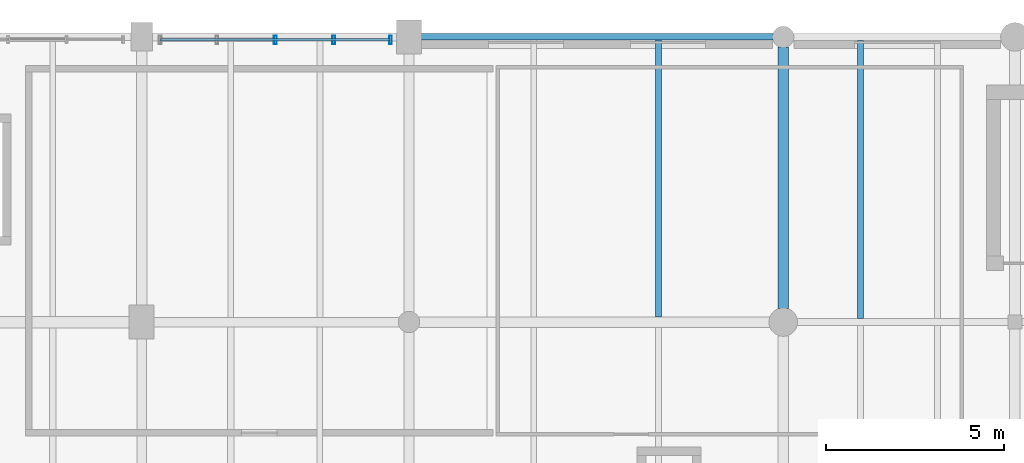
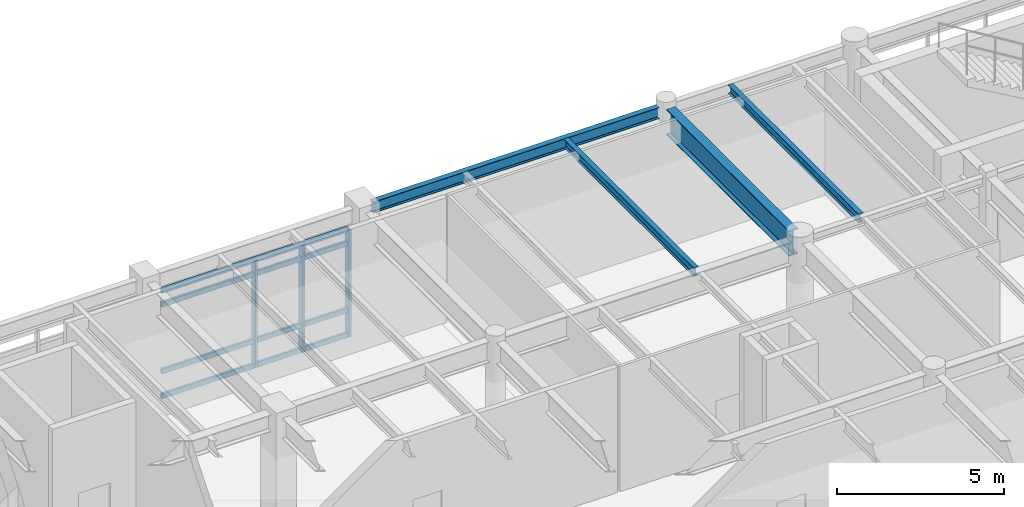
# One storey, part 70 of 200: 7 members, 4 beams, 1 element without a shape of its own.
"""IFC4 building model written with IfcOpenShell, lengths in metres."""

from ifc_helpers import new_model, si_unit, direction, frame, origin, origin_2d, place, context, subcontext, project, spatial, hollow_rectangle, i_section, extrude, material, material_profile, profile_set, type_object, element, aggregate, save


model = new_model("IFC4")

# Units and contexts
model_context = context("Model", 3, precision=1e-05, world=origin(), true_north=direction((0.0, 1.0)))
body_context = subcontext(model_context, "Body", "Model", "MODEL_VIEW")
ifc_project = project(units=[si_unit("LENGTHUNIT", "METRE"), si_unit("AREAUNIT", "SQUARE_METRE"), si_unit("VOLUMEUNIT", "CUBIC_METRE"), si_unit("PLANEANGLEUNIT", "RADIAN"), si_unit("MASSUNIT", "GRAM", prefix="KILO"), si_unit("THERMODYNAMICTEMPERATUREUNIT", "KELVIN"), si_unit("POWERUNIT", "WATT")], contexts=[model_context])

# Site, building, storey
site_placement = place(None, origin())
site = spatial("IfcSite", under=ifc_project, at=site_placement, CompositionType="ELEMENT")
building_placement = place(site_placement, origin())
building = spatial("IfcBuilding", under=site, at=building_placement, Name="Tepalcoro Natatorium and Aquatics Centre", CompositionType="ELEMENT")
storey_placement = place(building_placement, frame((0.0, 0.0, 5.39990234375)))
storey = spatial("IfcBuildingStorey", under=building, at=storey_placement, Name="L01", CompositionType="ELEMENT", Elevation=5.39990234375)

# Beam
ifc_material_1 = material(Name="Steel ASTM A992 Grade 50 (Fy 345 MPa)", Category="steel")
ifc_material_profile_1 = material_profile(ifc_material_1, i_section(OverallWidth=0.304931640625, OverallDepth=0.9189453125, WebThickness=0.01708984375, FlangeThickness=0.028076171875, FilletRadius=0.013916015625, at=origin_2d()), Name="W36X170")
ifc_profile_set_1 = profile_set([ifc_material_profile_1], Name="Steel ASTM A992 Grade 50 (Fy 345 MPa)")
beam_type_1 = type_object("IfcBeamType", Name="BM_W36x170", PredefinedType="BEAM", material=ifc_profile_set_1)
beam_1_placement = place(storey_placement, frame((46.5, 110.385009765625, 4.105712890625), z_axis=(0.0, 1.0, 0.0), x_axis=(-1.0, 0.0, 0.0)))
element("IfcBeam", 1, at=beam_1_placement, inside=storey, type_object=beam_type_1, Name="V4 L01 Grid Girder Y", PredefinedType="BEAM", context=body_context, shape_type="SweptSolid", body=[
    extrude(i_section(OverallWidth=0.304931640625, OverallDepth=0.9189453125, WebThickness=0.01708984375, FlangeThickness=0.028076171875, FilletRadius=0.013916015625, at=origin_2d()), origin(), (0.0, 0.0, 1.0), 7.330078125),
])

# Curtain wall, members
ifc_material_2 = material(Name="Bronze-Anodised Extruded Aluminium Alloy EN AW-6063 T6", Category="aluminium")
curtain_wall_type = type_object("IfcCurtainWallType", Name="CW_LEAN_T2_NS", PredefinedType="USERDEFINED", material=ifc_material_2)
curtain_wall_placement = place(storey_placement, origin())
curtain_wall = element("IfcCurtainWall", 2, at=curtain_wall_placement, inside=storey, type_object=curtain_wall_type, Name="V4 L01 N Unitised Curtain Wall Bay 3", ObjectType="FACETED SOLAR GLAZING", PredefinedType="USERDEFINED")
ifc_material_profile_2 = material_profile(ifc_material_2, hollow_rectangle(XDim=0.080078125, YDim=0.239990234375, WallThickness=0.0048828125, at=origin_2d()), Name="AL80X240X5")
ifc_profile_set_2 = profile_set([ifc_material_profile_2], Name="Bronze-Anodised Extruded Aluminium Alloy EN AW-6063 T6")
member_type_1 = type_object("IfcMemberType", Name="CW_MUL_80x240", PredefinedType="MULLION", material=ifc_profile_set_2)
member_1_placement = place(storey_placement, frame((32.25, 117.919921875, 0.02001953125), z_axis=(0.0, 0.0, 1.0), x_axis=(1.0, 0.0, 0.0)))
member_1 = element("IfcMember", 3, at=member_1_placement, type_object=member_type_1, Name="CW_LEAN_T2_NS Curtain Wall Mullion", PredefinedType="MULLION", context=body_context, shape_type="SweptSolid", body=[
    extrude(hollow_rectangle(XDim=0.080078125, YDim=0.239990234375, WallThickness=0.0048828125, at=origin_2d()), origin(), (0.0, 0.0, 1.0), 3.898193359375),
])
member_2_placement = place(storey_placement, frame((33.885009765625, 117.919921875, 0.02001953125), z_axis=(0.0, 0.0, 1.0), x_axis=(1.0, 0.0, 0.0)))
member_2 = element("IfcMember", 4, at=member_2_placement, type_object=member_type_1, Name="CW_LEAN_T2_NS Curtain Wall Mullion", PredefinedType="MULLION", context=body_context, shape_type="SweptSolid", body=[
    extrude(hollow_rectangle(XDim=0.080078125, YDim=0.239990234375, WallThickness=0.0048828125, at=origin_2d()), origin(), (0.0, 0.0, 1.0), 3.898193359375),
])
member_3_placement = place(storey_placement, frame((35.47998046875, 117.919921875, 0.02001953125), z_axis=(0.0, 0.0, 1.0), x_axis=(1.0, 0.0, 0.0)))
member_3 = element("IfcMember", 5, at=member_3_placement, type_object=member_type_1, Name="CW_LEAN_T2_NS Curtain Wall Mullion", PredefinedType="MULLION", context=body_context, shape_type="SweptSolid", body=[
    extrude(hollow_rectangle(XDim=0.080078125, YDim=0.239990234375, WallThickness=0.0048828125, at=origin_2d()), origin(), (0.0, 0.0, 1.0), 3.898193359375),
])
ifc_material_profile_3 = material_profile(ifc_material_2, hollow_rectangle(XDim=0.080078125, YDim=0.179931640625, WallThickness=0.0048828125, at=origin_2d()), Name="AL80X180X5")
ifc_profile_set_3 = profile_set([ifc_material_profile_3], Name="Bronze-Anodised Extruded Aluminium Alloy EN AW-6063 T6")
member_type_2 = type_object("IfcMemberType", Name="CW_TRN_80x180", PredefinedType="USERDEFINED", material=ifc_profile_set_3)
member_4_placement = place(storey_placement, frame((29.030029296875, 117.919921875, 0.050048828125), z_axis=(1.0, 0.0, 0.0), x_axis=(0.0, 1.0, 0.0)))
member_4 = element("IfcMember", 6, at=member_4_placement, type_object=member_type_2, Name="CW_LEAN_T2_NS Curtain Wall Transom", ObjectType="TRANSOM", PredefinedType="USERDEFINED", context=body_context, shape_type="SweptSolid", body=[
    extrude(hollow_rectangle(XDim=0.080078125, YDim=0.179931640625, WallThickness=0.0048828125, at=origin_2d()), origin(), (0.0, 0.0, 1.0), 6.43994140625),
])
member_5_placement = place(storey_placement, frame((29.030029296875, 117.919921875, 0.9501953125), z_axis=(1.0, 0.0, 0.0), x_axis=(0.0, 1.0, 0.0)))
member_5 = element("IfcMember", 7, at=member_5_placement, type_object=member_type_2, Name="CW_LEAN_T2_NS Curtain Wall Transom", ObjectType="TRANSOM", PredefinedType="USERDEFINED", context=body_context, shape_type="SweptSolid", body=[
    extrude(hollow_rectangle(XDim=0.080078125, YDim=0.179931640625, WallThickness=0.0048828125, at=origin_2d()), origin(), (0.0, 0.0, 1.0), 6.43994140625),
])
member_6_placement = place(storey_placement, frame((29.030029296875, 117.919921875, 3.38818359375), z_axis=(1.0, 0.0, 0.0), x_axis=(0.0, 1.0, 0.0)))
member_6 = element("IfcMember", 8, at=member_6_placement, type_object=member_type_2, Name="CW_LEAN_T2_NS Curtain Wall Transom", ObjectType="TRANSOM", PredefinedType="USERDEFINED", context=body_context, shape_type="SweptSolid", body=[
    extrude(hollow_rectangle(XDim=0.080078125, YDim=0.179931640625, WallThickness=0.0048828125, at=origin_2d()), origin(), (0.0, 0.0, 1.0), 6.43994140625),
])
member_7_placement = place(storey_placement, frame((29.030029296875, 117.919921875, 3.88818359375), z_axis=(1.0, 0.0, 0.0), x_axis=(0.0, 1.0, 0.0)))
member_7 = element("IfcMember", 9, at=member_7_placement, type_object=member_type_2, Name="CW_LEAN_T2_NS Curtain Wall Transom", ObjectType="TRANSOM", PredefinedType="USERDEFINED", context=body_context, shape_type="SweptSolid", body=[
    extrude(hollow_rectangle(XDim=0.080078125, YDim=0.179931640625, WallThickness=0.0048828125, at=origin_2d()), origin(), (0.0, 0.0, 1.0), 6.43994140625),
])
aggregate(curtain_wall, [member_1, member_2, member_3, member_4, member_5, member_6, member_7])

# Beams
ifc_material_profile_4 = material_profile(ifc_material_1, i_section(OverallWidth=0.1669921875, OverallDepth=0.318115234375, WebThickness=0.008056640625, FlangeThickness=0.012939453125, FilletRadius=0.013916015625, at=origin_2d()), Name="W12X35")
ifc_profile_set_4 = profile_set([ifc_material_profile_4], Name="Steel ASTM A992 Grade 50 (Fy 345 MPa)")
beam_type_2 = type_object("IfcBeamType", Name="JS_W12x35", PredefinedType="JOIST", material=ifc_profile_set_4)
beam_2_placement = place(storey_placement, frame((43.0, 110.14599609375, 4.406005859375), z_axis=(0.0, 1.0, 0.0), x_axis=(-1.0, 0.0, 0.0)))
element("IfcBeam", 10, at=beam_2_placement, inside=storey, type_object=beam_type_2, Name="V4 L01 Floor Joist", PredefinedType="JOIST", context=body_context, shape_type="SweptSolid", body=[
    extrude(i_section(OverallWidth=0.1669921875, OverallDepth=0.318115234375, WebThickness=0.008056640625, FlangeThickness=0.012939453125, FilletRadius=0.013916015625, at=origin_2d()), origin(), (0.0, 0.0, 1.0), 7.763916015625),
])
beam_3_placement = place(storey_placement, frame((48.666748046875, 110.1015625, 4.406005859375), z_axis=(0.0, 1.0, 0.0), x_axis=(-1.0, 0.0, 0.0)))
element("IfcBeam", 11, at=beam_3_placement, inside=storey, type_object=beam_type_2, Name="V4 L01 Floor Joist", PredefinedType="JOIST", context=body_context, shape_type="SweptSolid", body=[
    extrude(i_section(OverallWidth=0.1669921875, OverallDepth=0.318115234375, WebThickness=0.008056640625, FlangeThickness=0.012939453125, FilletRadius=0.013916015625, at=origin_2d()), origin(), (0.0, 0.0, 1.0), 7.802978515625),
])
ifc_material_profile_5 = material_profile(ifc_material_1, i_section(OverallWidth=0.179931640625, OverallDepth=0.4130859375, WebThickness=0.010009765625, FlangeThickness=0.01611328125, FilletRadius=0.013916015625, at=origin_2d()), Name="W16X50")
ifc_profile_set_5 = profile_set([ifc_material_profile_5], Name="Steel ASTM A992 Grade 50 (Fy 345 MPa)")
beam_type_3 = type_object("IfcBeamType", Name="SP_HSS300x200x12", PredefinedType="SPANDREL", material=ifc_profile_set_5)
beam_4_placement = place(storey_placement, frame((36.3349609375, 118.0, 4.358642578125), z_axis=(1.0, 0.0, 0.0), x_axis=(0.0, 1.0, 0.0)))
element("IfcBeam", 12, at=beam_4_placement, inside=storey, type_object=beam_type_3, Name="V4 L01 Grid Girder X", PredefinedType="SPANDREL", context=body_context, shape_type="SweptSolid", body=[
    extrude(i_section(OverallWidth=0.179931640625, OverallDepth=0.4130859375, WebThickness=0.010009765625, FlangeThickness=0.01611328125, FilletRadius=0.013916015625, at=origin_2d()), origin(), (0.0, 0.0, 1.0), 9.880126953125),
])

save(model, "model.ifc")
